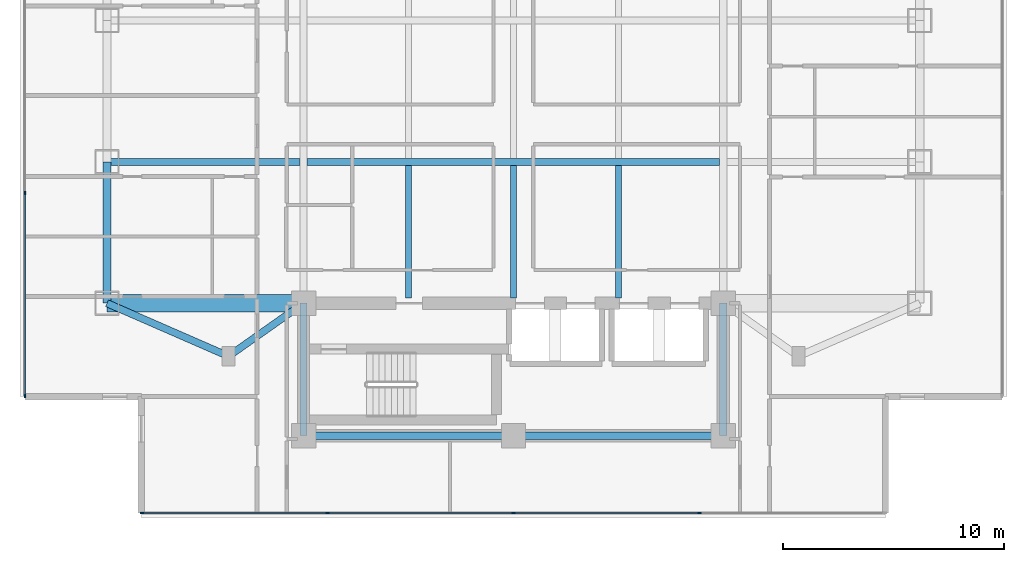
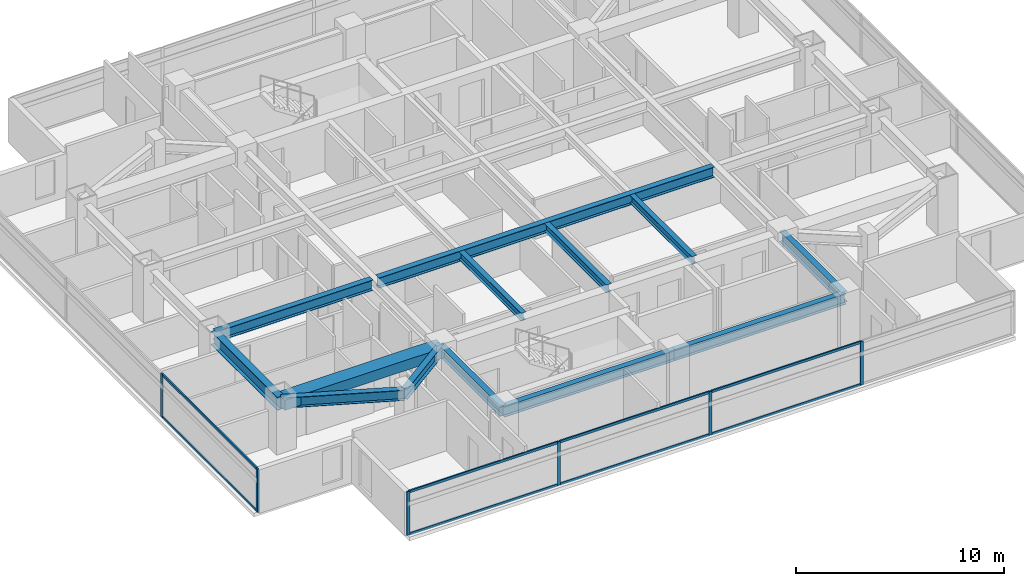
# One storey, part 2 of 24: 14 members, 13 beams, 2 elements without a shape of their own.
"""IFC4 building model written with IfcOpenShell, lengths in metres."""

import ifcopenshell
import ifcopenshell.guid

model = None  # the IFC model being written
_history = None  # IfcOwnerHistory: only IFC2X3 demands one
_inside = {}  # id of a spatial element -> (the spatial element, [elements in it])
_under = {}  # id of a project, library or spatial element -> (it, [spatial elements below it])
_declared = {}  # id of a project -> (the project, [libraries it declares])
_typed = {}  # id of a type object -> (the type object, [elements of that type])
_made_of = {}  # id of a material, layer set ... -> (it, [elements and type objects made of it])


def new_model(schema):
    """Start an empty IFC model of exactly this schema.

    Asked for "IFC4X3", IfcOpenShell would pick the latest addendum, in which some entities
    have other attributes; the version numbers below select the first issue.
    IFC2X3 requires an IfcOwnerHistory on every rooted entity: one is made here for all.
    """
    global model, _history
    if schema == "IFC4X3":
        model = ifcopenshell.file(schema_version=(4, 3, 0, 0))
    else:
        model = ifcopenshell.file(schema=schema)
    _inside.clear()
    _under.clear()
    _declared.clear()
    _typed.clear()
    _made_of.clear()
    _history = None
    if model.schema == "IFC2X3":
        org = make("IfcOrganization", Name="unknown")
        user = make(
            "IfcPersonAndOrganization",
            ThePerson=make("IfcPerson", FamilyName="unknown"),
            TheOrganization=org,
        )
        app = make(
            "IfcApplication",
            ApplicationDeveloper=org,
            Version="unknown",
            ApplicationFullName="unknown",
            ApplicationIdentifier="unknown",
        )
        _history = make(
            "IfcOwnerHistory",
            OwningUser=user,
            OwningApplication=app,
            ChangeAction="ADDED",
            CreationDate=0,
        )
    return model


def make(cls, **values):
    """One entity of the class cls with the attributes given. An attribute that is None is left unset."""
    return model.create_entity(
        cls, **{name: value for name, value in values.items() if value is not None}
    )


def rooted(cls, **values):
    """An entity with a GlobalId (a new one), such as an element, a storey or a relation."""
    return make(cls, GlobalId=ifcopenshell.guid.new(), OwnerHistory=_history, **values)


def si_unit(unit_type, name, prefix=None):
    """IfcSIUnit, for example si_unit("LENGTHUNIT", "METRE", prefix="MILLI")."""
    return make("IfcSIUnit", UnitType=unit_type, Prefix=prefix, Name=name)


def assignment(units):
    """IfcUnitAssignment: the units of a project."""
    return None if units is None else make("IfcUnitAssignment", Units=units)


def point(xyz):
    """IfcCartesianPoint."""
    return None if xyz is None else make("IfcCartesianPoint", Coordinates=xyz)


def direction(xyz):
    """IfcDirection."""
    return None if xyz is None else make("IfcDirection", DirectionRatios=xyz)


def frame(location, z_axis=None, x_axis=None):
    """IfcAxis2Placement3D, a coordinate frame: its origin and axes. An axis left out is left unset."""
    return make(
        "IfcAxis2Placement3D",
        Location=point(location),
        Axis=direction(z_axis),
        RefDirection=direction(x_axis),
    )


def frame_2d(location, x_axis=None):
    """IfcAxis2Placement2D, a coordinate frame in the plane: its origin and x axis."""
    return make(
        "IfcAxis2Placement2D", Location=point(location), RefDirection=direction(x_axis)
    )


def origin():
    """The frame at (0, 0, 0) with its axes left unset."""
    return frame((0.0, 0.0, 0.0))


def origin_2d():
    """The frame at (0, 0) in the plane with its x axis left unset."""
    return frame_2d((0.0, 0.0))


def place(relative_to, where):
    """IfcLocalPlacement: puts the frame where relative to a parent placement (None: the world)."""
    return make(
        "IfcLocalPlacement", PlacementRelTo=relative_to, RelativePlacement=where
    )


def context(
    kind, dimensions, precision=None, world=None, true_north=None, identifier=None
):
    """IfcGeometricRepresentationContext, for example the 3D "Model" context."""
    return make(
        "IfcGeometricRepresentationContext",
        ContextIdentifier=identifier,
        ContextType=kind,
        CoordinateSpaceDimension=dimensions,
        Precision=precision,
        WorldCoordinateSystem=world,
        TrueNorth=true_north,
    )


def subcontext(parent, identifier, kind, view, scale=None):
    """IfcGeometricRepresentationSubContext, for example "Body" below "Model"."""
    return make(
        "IfcGeometricRepresentationSubContext",
        ContextIdentifier=identifier,
        ContextType=kind,
        ParentContext=parent,
        TargetScale=scale,
        TargetView=view,
    )


def project(units=None, contexts=None):
    """IfcProject with its units and contexts."""
    return rooted(
        "IfcProject",
        Name="project",
        RepresentationContexts=contexts,
        UnitsInContext=assignment(units),
    )


def spatial(cls, under=None, at=None, **own):
    """A site, building, storey or space (cls), placed at a placement, below another one or the project."""
    s = rooted(cls, ObjectPlacement=at, **own)
    if under is not None:
        _under.setdefault(under.id(), (under, []))[1].append(s)
    return s


def profile(cls, at=None, kind="AREA", **sizes):
    """A parametric profile (cls). Its sizes go by their IFC names, for example OverallWidth=200.0."""
    return make(cls, ProfileType=kind, Position=at, **sizes)


def rectangle(**sizes):
    """IfcRectangleProfileDef."""
    return profile("IfcRectangleProfileDef", **sizes)


def i_section(**sizes):
    """IfcIShapeProfileDef."""
    return profile("IfcIShapeProfileDef", **sizes)


def extrude(swept, where, along, depth):
    """IfcExtrudedAreaSolid: the profile swept, set in the frame where, extruded along a direction by depth."""
    return make(
        "IfcExtrudedAreaSolid",
        SweptArea=swept,
        Position=where,
        ExtrudedDirection=direction(along),
        Depth=depth,
    )


def shape(context_of_items, identifier, shape_type, items):
    """IfcShapeRepresentation: the items that make up one representation, for example the "Body"."""
    return make(
        "IfcShapeRepresentation",
        ContextOfItems=context_of_items,
        RepresentationIdentifier=identifier,
        RepresentationType=shape_type,
        Items=items,
    )


def material(Name=None, Category=None):
    """IfcMaterial."""
    return make("IfcMaterial", Name=Name, Category=Category)


def material_profile(
    of_material, cross_section, Name=None, Category=None, Priority=None
):
    """IfcMaterialProfile: a cross section and its material."""
    return make(
        "IfcMaterialProfile",
        Name=Name,
        Material=of_material,
        Profile=cross_section,
        Priority=Priority,
        Category=Category,
    )


def profile_set(profiles, Name=None, composite=None):
    """IfcMaterialProfileSet."""
    return make(
        "IfcMaterialProfileSet",
        Name=Name,
        MaterialProfiles=profiles,
        CompositeProfile=composite,
    )


def made_of(thing, what):
    """Note that an element or type object is made of a material, layer set ...; save() writes the relation."""
    if what is not None:
        _made_of.setdefault(what.id(), (what, []))[1].append(thing)
    return thing


def type_object(cls, material=None, **own):
    """A type object (cls), such as IfcWallType, which elements share."""
    return made_of(rooted(cls, **own), material)


def element(
    cls,
    number,
    at=None,
    inside=None,
    cuts=None,
    type_object=None,
    material=None,
    context=None,
    identifier="Body",
    shape_type=None,
    held_by="IfcProductDefinitionShape",
    body=None,
    shapes=None,
    **own,
):
    """One element of the class cls, such as IfcWall. Its Tag is "e" and its number.

    at: its placement. inside: the storey or other place that contains it. cuts: it is an
    opening in that element (IfcRelVoidsElement). A single representation is given by context,
    identifier, shape_type and body (its items); several are given by shapes. held_by: the class
    of the entity that holds the representations. save() writes the other relations.
    """
    e = rooted(cls, Tag="e%d" % number, ObjectPlacement=at, **own)
    if body is not None:
        shapes = [shape(context, identifier, shape_type, body)]
    if shapes is not None:
        e.Representation = make(held_by, Representations=shapes)
    if inside is not None:
        _inside.setdefault(inside.id(), (inside, []))[1].append(e)
    if cuts is not None:
        rooted(
            "IfcRelVoidsElement", RelatingBuildingElement=cuts, RelatedOpeningElement=e
        )
    if type_object is not None:
        _typed.setdefault(type_object.id(), (type_object, []))[1].append(e)
    return made_of(e, material)


def aggregate(whole, parts):
    """IfcRelAggregates: a whole, such as a stair, and the parts it consists of."""
    return rooted("IfcRelAggregates", RelatingObject=whole, RelatedObjects=parts)


def save(model, path):
    """Write the relations noted so far, then the file.

    IfcRelAggregates (storeys below a building ...), IfcRelContainedInSpatialStructure (elements
    in a storey), IfcRelDefinesByType, IfcRelAssociatesMaterial and IfcRelDeclares: one each for
    every whole, place, type object, material and project.
    """
    for whole, parts in _under.values():
        aggregate(whole, parts)
    for where, things in _inside.values():
        rooted(
            "IfcRelContainedInSpatialStructure",
            RelatedElements=things,
            RelatingStructure=where,
        )
    for kind, things in _typed.values():
        rooted("IfcRelDefinesByType", RelatedObjects=things, RelatingType=kind)
    for what, things in _made_of.values():
        rooted("IfcRelAssociatesMaterial", RelatedObjects=things, RelatingMaterial=what)
    for by, libraries in _declared.values():
        rooted("IfcRelDeclares", RelatingContext=by, RelatedDefinitions=libraries)
    model.write(path)


model = new_model("IFC4")

# Units and contexts
model_context = context("Model", 3, precision=1e-05, world=origin(), true_north=direction((0.0, 1.0)))
body_context = subcontext(model_context, "Body", "Model", "MODEL_VIEW")
ifc_project = project(units=[si_unit("LENGTHUNIT", "METRE"), si_unit("AREAUNIT", "SQUARE_METRE"), si_unit("VOLUMEUNIT", "CUBIC_METRE"), si_unit("PLANEANGLEUNIT", "RADIAN"), si_unit("MASSUNIT", "GRAM", prefix="KILO")], contexts=[model_context])

# Site, building, storey
site_placement = place(None, origin())
site = spatial("IfcSite", under=ifc_project, at=site_placement, CompositionType="ELEMENT")
building_placement = place(site_placement, origin())
building = spatial("IfcBuilding", under=site, at=building_placement, Name="Mirazonda Arch Towers", CompositionType="ELEMENT")
storey_placement = place(building_placement, frame((0.0, 0.0, 144.5)))
storey = spatial("IfcBuildingStorey", under=building, at=storey_placement, Name="L41", CompositionType="ELEMENT", Elevation=144.5)

# Beams
ifc_material_1 = material(Name="Steel ASTM A992 Grade 50", Category="steel")
ifc_material_profile_1 = material_profile(ifc_material_1, i_section(OverallWidth=0.381103515625, OverallDepth=0.77294921875, WebThickness=0.0166015625, FlangeThickness=0.027099609375, at=origin_2d()), Name="W30X173")
ifc_profile_set_1 = profile_set([ifc_material_profile_1], Name="Steel ASTM A992 Grade 50")
beam_type_1 = type_object("IfcBeamType", Name="BM-EXT-W30X173", PredefinedType="USERDEFINED", material=ifc_profile_set_1)
beam_1_placement = place(storey_placement, frame((2.10009765625, 18.39990234375, 2.553466796875), z_axis=(0.0, 1.0, 0.0), x_axis=(-1.0, 0.0, 0.0)))
element("IfcBeam", 1, at=beam_1_placement, inside=storey, type_object=beam_type_1, Name="L41 Floor Beam BMT-T1-L41-NS-W-18", ObjectType="GIRDER", PredefinedType="USERDEFINED", context=body_context, shape_type="SweptSolid", body=[
    extrude(i_section(OverallWidth=0.381103515625, OverallDepth=0.77294921875, WebThickness=0.0166015625, FlangeThickness=0.027099609375, at=origin_2d()), origin(), (0.0, 0.0, 1.0), 6.400146484375),
])
ifc_material_profile_2 = material_profile(ifc_material_1, i_section(OverallWidth=0.280029296875, OverallDepth=0.462890625, WebThickness=0.0107421875, FlangeThickness=0.017333984375, at=origin_2d()), Name="W18X76")
ifc_profile_set_2 = profile_set([ifc_material_profile_2], Name="Steel ASTM A992 Grade 50")
beam_type_2 = type_object("IfcBeamType", Name="BM-INT-W18X76", PredefinedType="JOIST", material=ifc_profile_set_2)
for number, where, z_axis, x_axis, name in (
    (2, (15.75, 18.639892578125, 2.70849609375), (0.0, 1.0, 0.0), (-1.0, 0.0, 0.0), "L41 Floor Beam BMT-T1-L41-J-157-18"),
    (3, (20.5, 18.639892578125, 2.70849609375), (0.0, 1.0, 0.0), (-1.0, 0.0, 0.0), "L41 Floor Beam BMT-T1-L41-J-205-18"),
    (4, (25.25, 18.639892578125, 2.70849609375), (0.0, 1.0, 0.0), (-1.0, 0.0, 0.0), "L41 Floor Beam BMT-T1-L41-J-252-18"),
):
    element("IfcBeam", number, at=place(storey_placement, frame(where, z_axis=z_axis, x_axis=x_axis)), inside=storey, type_object=beam_type_2, Name=name, PredefinedType="JOIST", context=body_context, shape_type="SweptSolid", body=[
        extrude(i_section(OverallWidth=0.280029296875, OverallDepth=0.462890625, WebThickness=0.0107421875, FlangeThickness=0.017333984375, at=origin_2d()), origin(), (0.0, 0.0, 1.0), 6.001708984375),
    ])
ifc_material_profile_3 = material_profile(ifc_material_1, i_section(OverallWidth=0.324951171875, OverallDepth=0.615966796875, WebThickness=0.013916015625, FlangeThickness=0.021484375, at=origin_2d()), Name="W24X117")
ifc_profile_set_3 = profile_set([ifc_material_profile_3], Name="Steel ASTM A992 Grade 50")
beam_type_3 = type_object("IfcBeamType", Name="BM-INT-W24X117", PredefinedType="BEAM", material=ifc_profile_set_3)
beam_2_placement = place(storey_placement, frame((11.16259765625, 24.800048828125, 2.632080078125), z_axis=(1.0, 0.0, 0.0), x_axis=(0.0, 1.0, 0.0)))
element("IfcBeam", 5, at=beam_2_placement, inside=storey, type_object=beam_type_3, Name="L41 Floor Beam BMT-T1-L41-GC2", PredefinedType="BEAM", context=body_context, shape_type="SweptSolid", body=[
    extrude(i_section(OverallWidth=0.324951171875, OverallDepth=0.615966796875, WebThickness=0.013916015625, FlangeThickness=0.021484375, at=origin_2d()), origin(), (0.0, 0.0, 1.0), 18.6748046875),
])
beam_3_placement = place(storey_placement, frame((2.10009765625, 24.800048828125, 2.632080078125), z_axis=(1.0, 0.0, 0.0), x_axis=(0.0, 1.0, 0.0)))
element("IfcBeam", 6, at=beam_3_placement, inside=storey, type_object=beam_type_3, Name="L41 Floor Beam BMT-T1-L41-GW2", PredefinedType="BEAM", context=body_context, shape_type="SweptSolid", body=[
    extrude(i_section(OverallWidth=0.324951171875, OverallDepth=0.615966796875, WebThickness=0.013916015625, FlangeThickness=0.021484375, at=origin_2d()), origin(), (0.0, 0.0, 1.0), 8.7373046875),
])
for number, where, z_axis, x_axis, name in (
    (7, (11.0, 12.39990234375, 2.632080078125), (1.0, 0.0, 0.0), (0.0, 1.0, 0.0), "L41 Floor Beam BMT-T1-L41-CS1"),
    (8, (20.5, 12.39990234375, 2.632080078125), (1.0, 0.0, 0.0), (0.0, 1.0, 0.0), "L41 Floor Beam BMT-T1-L41-CS2"),
):
    element("IfcBeam", number, at=place(storey_placement, frame(where, z_axis=z_axis, x_axis=x_axis)), inside=storey, type_object=beam_type_3, Name=name, PredefinedType="BEAM", context=body_context, shape_type="SweptSolid", body=[
        extrude(i_section(OverallWidth=0.324951171875, OverallDepth=0.615966796875, WebThickness=0.013916015625, FlangeThickness=0.021484375, at=origin_2d()), origin(), (0.0, 0.0, 1.0), 9.5),
    ])
for number, where, z_axis, x_axis, name in (
    (9, (11.0, 12.39990234375, 2.632080078125), (0.0, 1.0, 0.0), (-1.0, 0.0, 0.0), "L41 Floor Beam BMT-T1-L41-CSW"),
    (10, (30.0, 12.39990234375, 2.632080078125), (0.0, 1.0, 0.0), (-1.0, 0.0, 0.0), "L41 Floor Beam BMT-T1-L41-CSE"),
):
    element("IfcBeam", number, at=place(storey_placement, frame(where, z_axis=z_axis, x_axis=x_axis)), inside=storey, type_object=beam_type_3, Name=name, PredefinedType="BEAM", context=body_context, shape_type="SweptSolid", body=[
        extrude(i_section(OverallWidth=0.324951171875, OverallDepth=0.615966796875, WebThickness=0.013916015625, FlangeThickness=0.021484375, at=origin_2d()), origin(), (0.0, 0.0, 1.0), 6.0),
    ])
beam_4_placement = place(storey_placement, frame((7.60009765625, 16.0, 2.632080078125), z_axis=(0.816971114901, 0.576678591087, 0.0), x_axis=(-0.576678591087, 0.816971114901, 0.0)))
element("IfcBeam", 11, at=beam_4_placement, inside=storey, type_object=beam_type_3, Name="L41 Floor Beam BMT-T1-L41-PL-SW1", PredefinedType="BEAM", context=body_context, shape_type="SweptSolid", body=[
    extrude(i_section(OverallWidth=0.324951171875, OverallDepth=0.615966796875, WebThickness=0.013916015625, FlangeThickness=0.021484375, at=origin_2d()), origin(), (0.0, 0.0, 1.0), 4.16162109375),
])
beam_5_placement = place(storey_placement, frame((7.60009765625, 16.0, 2.632080078125), z_axis=(-0.916545343703, 0.399930785183, 0.0), x_axis=(-0.399930785183, -0.916545343703, 0.0)))
element("IfcBeam", 12, at=beam_5_placement, inside=storey, type_object=beam_type_3, Name="L41 Floor Beam BMT-T1-L41-PL-SW2", PredefinedType="BEAM", context=body_context, shape_type="SweptSolid", body=[
    extrude(i_section(OverallWidth=0.324951171875, OverallDepth=0.615966796875, WebThickness=0.013916015625, FlangeThickness=0.021484375, at=origin_2d()), origin(), (0.0, 0.0, 1.0), 6.000732421875),
])
ifc_material_2 = material(Name="Concrete C60/75", Category="concrete")
ifc_material_profile_4 = material_profile(ifc_material_2, rectangle(XDim=0.800048828125, YDim=0.60009765625, at=origin_2d()), Name="RCCB800x600")
ifc_profile_set_4 = profile_set([ifc_material_profile_4], Name="Concrete C60/75")
beam_type_4 = type_object("IfcBeamType", Name="CB-INT-RCCB800x600", PredefinedType="SPANDREL", material=ifc_profile_set_4)
beam_6_placement = place(storey_placement, frame((2.10009765625, 18.39990234375, 2.639892578125), z_axis=(1.0, 0.0, 0.0), x_axis=(0.0, 1.0, 0.0)))
element("IfcBeam", 13, at=beam_6_placement, inside=storey, type_object=beam_type_4, Name="L41 Floor Beam CBC-T1-L41-SW", PredefinedType="SPANDREL", context=body_context, shape_type="SweptSolid", body=[
    extrude(rectangle(XDim=0.800048828125, YDim=0.60009765625, at=origin_2d()), origin(), (0.0, 0.0, 1.0), 8.89990234375),
])

# Curtain wall, members
ifc_material_3 = material(Name="Anodised Aluminium and Low-E Glass", Category="aluminium")
curtain_wall_type = type_object("IfcCurtainWallType", Name="CW-HTL-UNIT", PredefinedType="NOTDEFINED", material=ifc_material_3)
curtain_wall_1_placement = place(storey_placement, origin())
curtain_wall_1 = element("IfcCurtainWall", 14, at=curtain_wall_1_placement, inside=storey, type_object=curtain_wall_type, Name="L41 T1 S Facade CW-L41-T1-S", PredefinedType="NOTDEFINED")
ifc_material_4 = material(Name="Anodised Aluminium Alloy", Category="aluminium")
ifc_material_profile_5 = material_profile(ifc_material_4, rectangle(XDim=0.074951171875, YDim=0.1650390625, at=origin_2d()), Name="ALU-MULL-75x165")
ifc_profile_set_5 = profile_set([ifc_material_profile_5], Name="Anodised Aluminium Alloy")
member_type_1 = type_object("IfcMemberType", Name="MULL-CW-HTL-UNIT", PredefinedType="MULLION", material=ifc_profile_set_5)
member_1_placement = place(storey_placement, frame((28.925048828125, 8.89599609375, 0.0), z_axis=(0.0, 0.0, 1.0), x_axis=(0.0, -1.0, 0.0)))
member_1 = element("IfcMember", 15, at=member_1_placement, type_object=member_type_1, Name="CW-112 mullion 2", PredefinedType="MULLION", context=body_context, shape_type="SweptSolid", body=[
    extrude(rectangle(XDim=0.074951171875, YDim=0.1650390625, at=origin_2d()), origin(), (0.0, 0.0, 1.0), 2.56005859375),
])
member_2_placement = place(storey_placement, frame((20.5, 8.89599609375, 0.0), z_axis=(0.0, 0.0, 1.0), x_axis=(0.0, -1.0, 0.0)))
member_2 = element("IfcMember", 16, at=member_2_placement, type_object=member_type_1, Name="CW-112 mullion 3", PredefinedType="MULLION", context=body_context, shape_type="SweptSolid", body=[
    extrude(rectangle(XDim=0.074951171875, YDim=0.1650390625, at=origin_2d()), origin(), (0.0, 0.0, 1.0), 2.56005859375),
])
member_3_placement = place(storey_placement, frame((12.074951171875, 8.89599609375, 0.0), z_axis=(0.0, 0.0, 1.0), x_axis=(0.0, -1.0, 0.0)))
member_3 = element("IfcMember", 17, at=member_3_placement, type_object=member_type_1, Name="CW-112 mullion 4", PredefinedType="MULLION", context=body_context, shape_type="SweptSolid", body=[
    extrude(rectangle(XDim=0.074951171875, YDim=0.1650390625, at=origin_2d()), origin(), (0.0, 0.0, 1.0), 2.56005859375),
])
member_4_placement = place(storey_placement, frame((3.6875, 8.89599609375, 0.0), z_axis=(0.0, 0.0, 1.0), x_axis=(0.0, -1.0, 0.0)))
member_4 = element("IfcMember", 18, at=member_4_placement, type_object=member_type_1, Name="CW-112 mullion 5", PredefinedType="MULLION", context=body_context, shape_type="SweptSolid", body=[
    extrude(rectangle(XDim=0.074951171875, YDim=0.1650390625, at=origin_2d()), origin(), (0.0, 0.0, 1.0), 2.56005859375),
])

curtain_wall_2_placement = place(storey_placement, origin())
curtain_wall_2 = element("IfcCurtainWall", 19, at=curtain_wall_2_placement, inside=storey, type_object=curtain_wall_type, Name="L41 T1 W Facade CW-L41-T1-W", PredefinedType="NOTDEFINED")
member_5_placement = place(storey_placement, frame((-1.6201171875, 23.388671875, 0.0), z_axis=(0.0, 0.0, 1.0), x_axis=(1.0, 0.0, 0.0)))
member_5 = element("IfcMember", 20, at=member_5_placement, type_object=member_type_1, Name="CW-112 mullion 3", PredefinedType="MULLION", context=body_context, shape_type="SweptSolid", body=[
    extrude(rectangle(XDim=0.074951171875, YDim=0.1650390625, at=origin_2d()), origin(), (0.0, 0.0, 1.0), 2.56005859375),
])
member_6_placement = place(storey_placement, frame((-1.6201171875, 14.20361328125, 0.0), z_axis=(0.0, 0.0, 1.0), x_axis=(1.0, 0.0, 0.0)))
member_6 = element("IfcMember", 21, at=member_6_placement, type_object=member_type_1, Name="CW-112 mullion 4", PredefinedType="MULLION", context=body_context, shape_type="SweptSolid", body=[
    extrude(rectangle(XDim=0.074951171875, YDim=0.1650390625, at=origin_2d()), origin(), (0.0, 0.0, 1.0), 2.56005859375),
])

# Member
ifc_material_profile_6 = material_profile(ifc_material_4, rectangle(XDim=0.074951171875, YDim=0.14501953125, at=origin_2d()), Name="ALU-TRAN-75x145")
ifc_profile_set_6 = profile_set([ifc_material_profile_6], Name="Anodised Aluminium Alloy")
member_type_2 = type_object("IfcMemberType", Name="TRAN-CW-HTL-UNIT", PredefinedType="USERDEFINED", material=ifc_profile_set_6)
member_7_placement = place(storey_placement, frame((28.887451171875, 8.89599609375, 0.03759765625), z_axis=(-1.0, 0.0, 0.0), x_axis=(0.0, -1.0, 0.0)))
member_7 = element("IfcMember", 22, at=member_7_placement, type_object=member_type_2, Name="CW-112 transom 2.1", ObjectType="TRANSOM", PredefinedType="USERDEFINED", context=body_context, shape_type="SweptSolid", body=[
    extrude(rectangle(XDim=0.074951171875, YDim=0.14501953125, at=origin_2d()), origin(), (0.0, 0.0, 1.0), 8.349853515625),
])

member_8_placement = place(storey_placement, frame((28.887451171875, 8.89599609375, 2.5224609375), z_axis=(-1.0, 0.0, 0.0), x_axis=(0.0, -1.0, 0.0)))
member_8 = element("IfcMember", 23, at=member_8_placement, type_object=member_type_2, Name="CW-112 transom 2.2", ObjectType="TRANSOM", PredefinedType="USERDEFINED", context=body_context, shape_type="SweptSolid", body=[
    extrude(rectangle(XDim=0.074951171875, YDim=0.14501953125, at=origin_2d()), origin(), (0.0, 0.0, 1.0), 8.349853515625),
])

member_9_placement = place(storey_placement, frame((20.46240234375, 8.89599609375, 0.03759765625), z_axis=(-1.0, 0.0, 0.0), x_axis=(0.0, -1.0, 0.0)))
member_9 = element("IfcMember", 24, at=member_9_placement, type_object=member_type_2, Name="CW-112 transom 3.1", ObjectType="TRANSOM", PredefinedType="USERDEFINED", context=body_context, shape_type="SweptSolid", body=[
    extrude(rectangle(XDim=0.074951171875, YDim=0.14501953125, at=origin_2d()), origin(), (0.0, 0.0, 1.0), 8.349853515625),
])

member_10_placement = place(storey_placement, frame((20.46240234375, 8.89599609375, 2.5224609375), z_axis=(-1.0, 0.0, 0.0), x_axis=(0.0, -1.0, 0.0)))
member_10 = element("IfcMember", 25, at=member_10_placement, type_object=member_type_2, Name="CW-112 transom 3.2", ObjectType="TRANSOM", PredefinedType="USERDEFINED", context=body_context, shape_type="SweptSolid", body=[
    extrude(rectangle(XDim=0.074951171875, YDim=0.14501953125, at=origin_2d()), origin(), (0.0, 0.0, 1.0), 8.349853515625),
])

member_11_placement = place(storey_placement, frame((12.03759765625, 8.89599609375, 0.03759765625), z_axis=(-1.0, 0.0, 0.0), x_axis=(0.0, -1.0, 0.0)))
member_11 = element("IfcMember", 26, at=member_11_placement, type_object=member_type_2, Name="CW-112 transom 4.1", ObjectType="TRANSOM", PredefinedType="USERDEFINED", context=body_context, shape_type="SweptSolid", body=[
    extrude(rectangle(XDim=0.074951171875, YDim=0.14501953125, at=origin_2d()), origin(), (0.0, 0.0, 1.0), 8.3125),
])

member_12_placement = place(storey_placement, frame((12.03759765625, 8.89599609375, 2.5224609375), z_axis=(-1.0, 0.0, 0.0), x_axis=(0.0, -1.0, 0.0)))
member_12 = element("IfcMember", 27, at=member_12_placement, type_object=member_type_2, Name="CW-112 transom 4.2", ObjectType="TRANSOM", PredefinedType="USERDEFINED", context=body_context, shape_type="SweptSolid", body=[
    extrude(rectangle(XDim=0.074951171875, YDim=0.14501953125, at=origin_2d()), origin(), (0.0, 0.0, 1.0), 8.3125),
])

aggregate(curtain_wall_1, [member_1, member_2, member_3, member_4, member_7, member_8, member_9, member_10, member_11, member_12])

member_13_placement = place(storey_placement, frame((-1.6201171875, 23.35107421875, 0.03759765625), z_axis=(0.0, -1.0, 0.0), x_axis=(1.0, 0.0, 0.0)))
member_13 = element("IfcMember", 28, at=member_13_placement, type_object=member_type_2, Name="CW-112 transom 3.1", ObjectType="TRANSOM", PredefinedType="USERDEFINED", context=body_context, shape_type="SweptSolid", body=[
    extrude(rectangle(XDim=0.074951171875, YDim=0.14501953125, at=origin_2d()), origin(), (0.0, 0.0, 1.0), 9.110107421875),
])

member_14_placement = place(storey_placement, frame((-1.6201171875, 23.35107421875, 2.5224609375), z_axis=(0.0, -1.0, 0.0), x_axis=(1.0, 0.0, 0.0)))
member_14 = element("IfcMember", 29, at=member_14_placement, type_object=member_type_2, Name="CW-112 transom 3.2", ObjectType="TRANSOM", PredefinedType="USERDEFINED", context=body_context, shape_type="SweptSolid", body=[
    extrude(rectangle(XDim=0.074951171875, YDim=0.14501953125, at=origin_2d()), origin(), (0.0, 0.0, 1.0), 9.110107421875),
])

aggregate(curtain_wall_2, [member_5, member_6, member_13, member_14])

save(model, "model.ifc")
